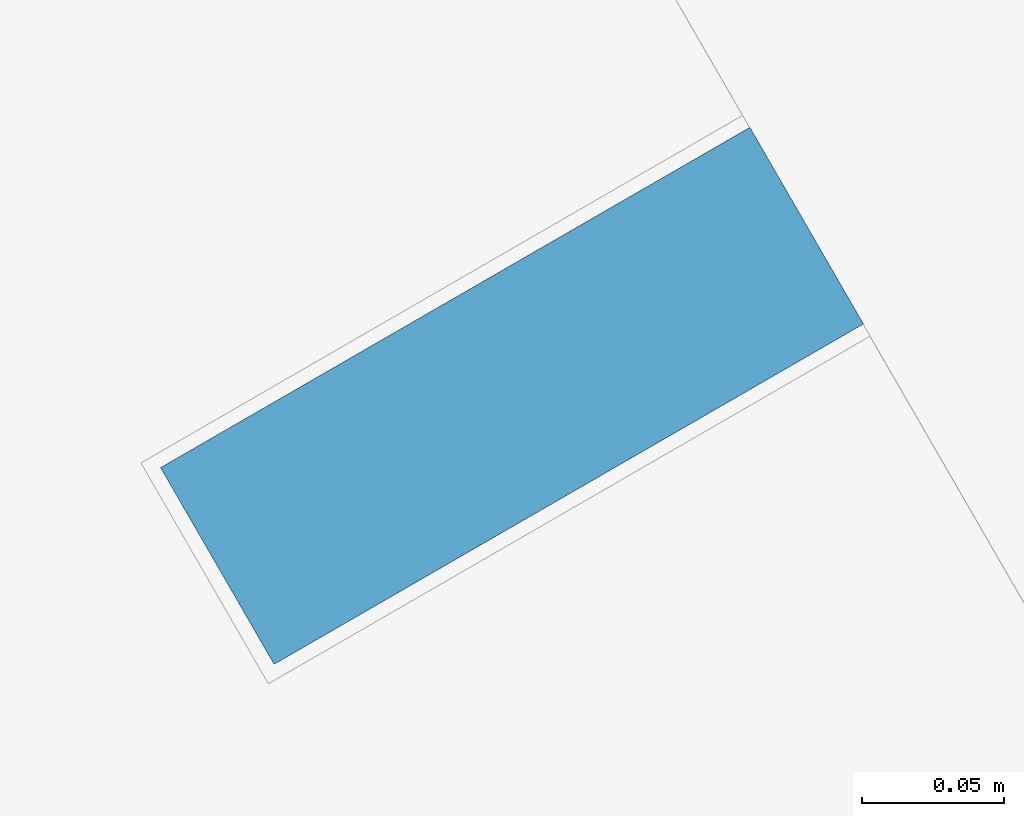
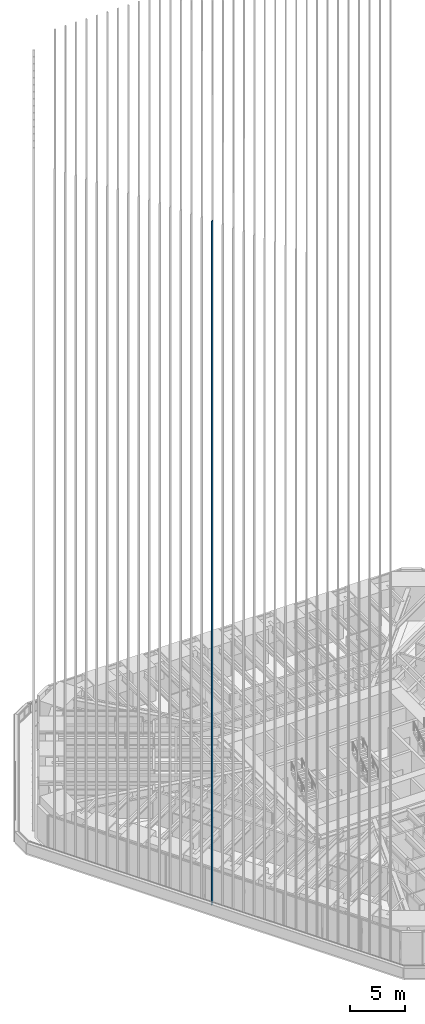
# One storey, part 35 of 238: 1 member, 1 element without a shape of its own.
"""IFC4 building model written with IfcOpenShell, lengths in metres."""

from ifc_helpers import new_model, si_unit, direction, frame, origin, origin_2d, place, context, subcontext, project, spatial, rectangle, extrude, material, material_profile, profile_set, type_object, element, aggregate, save


model = new_model("IFC4")

# Units and contexts
model_context = context("Model", 3, precision=1e-05, world=origin(), true_north=direction((0.0, 1.0)))
body_context = subcontext(model_context, "Body", "Model", "MODEL_VIEW")
ifc_project = project(units=[si_unit("LENGTHUNIT", "METRE"), si_unit("AREAUNIT", "SQUARE_METRE"), si_unit("VOLUMEUNIT", "CUBIC_METRE"), si_unit("PLANEANGLEUNIT", "RADIAN"), si_unit("MASSUNIT", "GRAM", prefix="KILO")], contexts=[model_context])

# Site, building, storey
site_placement = place(None, origin())
site = spatial("IfcSite", under=ifc_project, at=site_placement, CompositionType="ELEMENT")
building_placement = place(site_placement, origin())
building = spatial("IfcBuilding", under=site, at=building_placement, Name="Sandreach Pilgrim Tower", CompositionType="ELEMENT")
storey_placement = place(building_placement, frame((0.0, 0.0, 96.800048828125)))
storey = spatial("IfcBuildingStorey", under=building, at=storey_placement, Name="L23", CompositionType="ELEMENT", Elevation=96.800048828125)

# Curtain wall, member
ifc_material_1 = material(Name="Aluminium framed curtain wall", Category="aluminium")
curtain_wall_type = type_object("IfcCurtainWallType", Name="Hotel tower curtain wall", PredefinedType="NOTDEFINED", material=ifc_material_1)
curtain_wall_placement = place(storey_placement, origin())
curtain_wall = element("IfcCurtainWall", 1, at=curtain_wall_placement, inside=storey, type_object=curtain_wall_type, Name="CW-2 L23 SW", PredefinedType="NOTDEFINED")
ifc_material_2 = material(Name="Extruded terracotta on aluminium core", Category="masonry")
ifc_material_profile = material_profile(ifc_material_2, rectangle(XDim=0.080078125, YDim=0.239990234375, at=origin_2d()), Name="TBW 80X240")
ifc_profile_set = profile_set([ifc_material_profile], Name="Extruded terracotta on aluminium core")
member_type = type_object("IfcMemberType", Name="Terracotta baguette west", PredefinedType="USERDEFINED", material=ifc_profile_set)
member_placement = place(storey_placement, frame((-20.39453125, -10.5029296875, 0.0), z_axis=(0.0, 0.0, 1.0), x_axis=(-0.5, 0.866025403784, 0.0)))
member = element("IfcMember", 2, at=member_placement, type_object=member_type, Name="Baguette Z2 SW18", ObjectType="BAGUETTE", PredefinedType="USERDEFINED", context=body_context, shape_type="SweptSolid", body=[
    extrude(rectangle(XDim=0.080078125, YDim=0.239990234375, at=origin_2d()), origin(), (0.0, 0.0, 1.0), 75.83984375),
])
aggregate(curtain_wall, [member])

save(model, "model.ifc")
